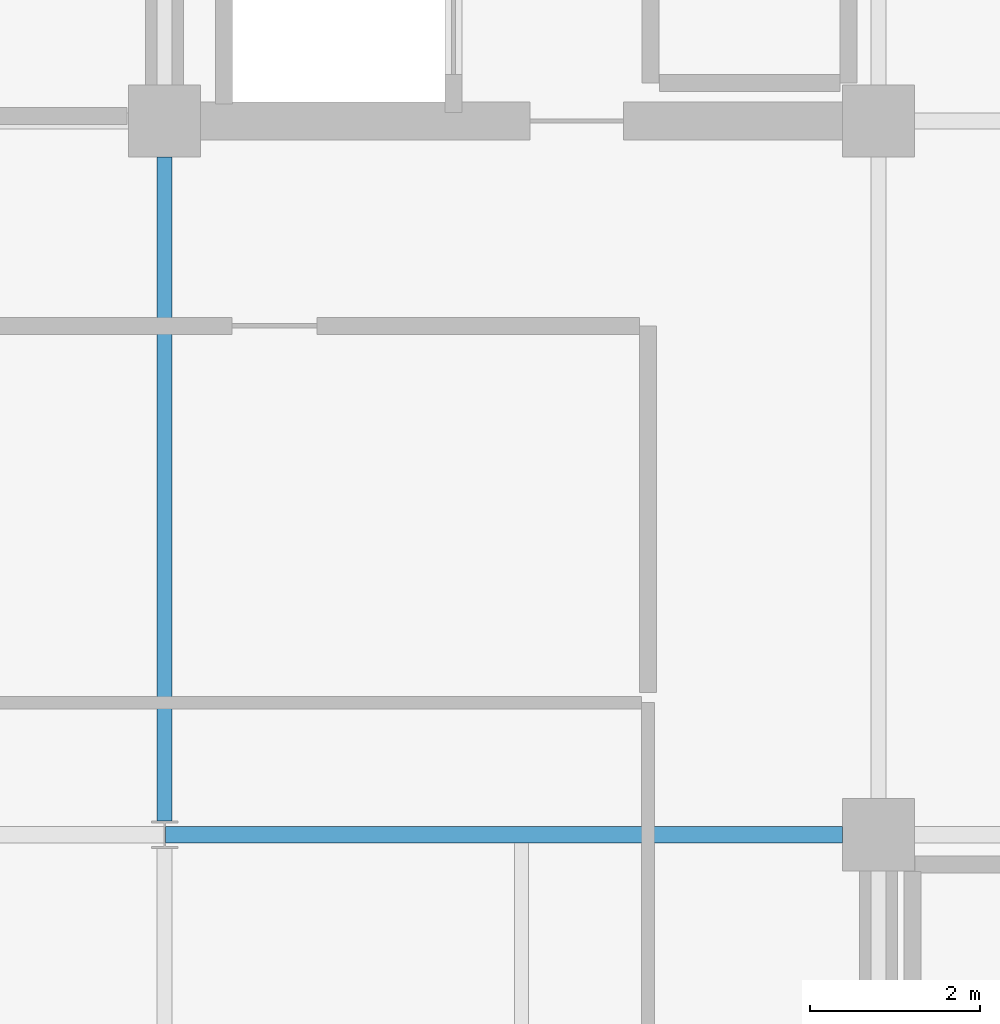
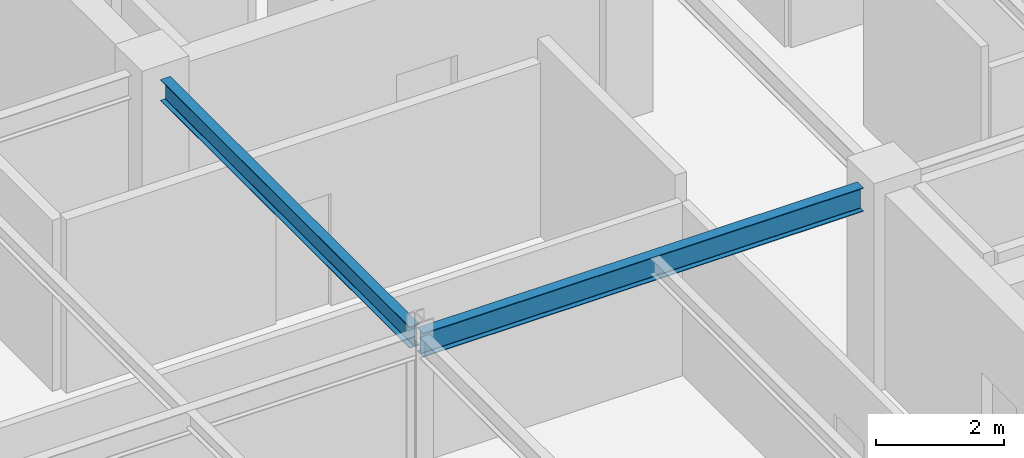
# One storey, part 10 of 26: 2 beams.
"""IFC4 building model written with IfcOpenShell, lengths in metres."""

from ifc_helpers import new_model, si_unit, direction, frame, origin, origin_2d, place, context, subcontext, project, spatial, i_section, extrude, material, material_profile, profile_set, type_object, element, save


model = new_model("IFC4")

# Units and contexts
model_context = context("Model", 3, precision=1e-05, world=origin(), true_north=direction((0.0, 1.0)))
body_context = subcontext(model_context, "Body", "Model", "MODEL_VIEW")
ifc_project = project(units=[si_unit("LENGTHUNIT", "METRE"), si_unit("AREAUNIT", "SQUARE_METRE"), si_unit("VOLUMEUNIT", "CUBIC_METRE"), si_unit("PLANEANGLEUNIT", "RADIAN"), si_unit("MASSUNIT", "GRAM", prefix="KILO")], contexts=[model_context])

# Site, building, storey
site_placement = place(None, origin())
site = spatial("IfcSite", under=ifc_project, at=site_placement, CompositionType="ELEMENT")
building_placement = place(site_placement, origin())
building = spatial("IfcBuilding", under=site, at=building_placement, Name="Nerrivon Quay Data Exchange", CompositionType="ELEMENT")
storey_placement = place(building_placement, frame((0.0, 0.0, 258.199951171875)))
storey = spatial("IfcBuildingStorey", under=building, at=storey_placement, Name="L61", CompositionType="ELEMENT", Elevation=258.199951171875)

# Beams
ifc_material = material(Name="Steel Grade 350", Category="steel")
ifc_material_profile_1 = material_profile(ifc_material, i_section(OverallWidth=0.18994140625, OverallDepth=0.4541015625, WebThickness=0.008544921875, FlangeThickness=0.0126953125, FilletRadius=0.011474609375, at=origin_2d()), Name="460UB67.1")
ifc_profile_set_1 = profile_set([ifc_material_profile_1], Name="Steel Grade 350")
beam_type_1 = type_object("IfcBeamType", Name="BM-G6-460UB67", PredefinedType="BEAM", material=ifc_profile_set_1)
beam_1_placement = place(storey_placement, frame((8.40771484375, 16.800048828125, 3.498046875), z_axis=(1.0, 0.0, 0.0), x_axis=(0.0, 1.0, 0.0)))
element("IfcBeam", 1, at=beam_1_placement, inside=storey, type_object=beam_type_1, Name="L61 EW Girder Y=16.8 (8.4..16.8)", PredefinedType="BEAM", context=body_context, shape_type="SweptSolid", body=[
    extrude(i_section(OverallWidth=0.18994140625, OverallDepth=0.4541015625, WebThickness=0.008544921875, FlangeThickness=0.0126953125, FilletRadius=0.011474609375, at=origin_2d()), origin(), (0.0, 0.0, 1.0), 7.96728515625),
])
ifc_material_profile_2 = material_profile(ifc_material, i_section(OverallWidth=0.177978515625, OverallDepth=0.406005859375, WebThickness=0.0078125, FlangeThickness=0.0126953125, FilletRadius=0.011474609375, at=origin_2d()), Name="410UB59.7")
ifc_profile_set_2 = profile_set([ifc_material_profile_2], Name="Steel Grade 350")
beam_type_2 = type_object("IfcBeamType", Name="BM-J1-410UB60", PredefinedType="JOIST", material=ifc_profile_set_2)
beam_2_placement = place(storey_placement, frame((8.39990234375, 16.96337890625, 3.52197265625), z_axis=(0.0, 1.0, 0.0), x_axis=(-1.0, 0.0, 0.0)))
element("IfcBeam", 2, at=beam_2_placement, inside=storey, type_object=beam_type_2, Name="L61 NS Girder X=8.4 (16.8..25.2)", PredefinedType="JOIST", context=body_context, shape_type="SweptSolid", body=[
    extrude(i_section(OverallWidth=0.177978515625, OverallDepth=0.406005859375, WebThickness=0.0078125, FlangeThickness=0.0126953125, FilletRadius=0.011474609375, at=origin_2d()), origin(), (0.0, 0.0, 1.0), 7.8115234375),
])

save(model, "model.ifc")
